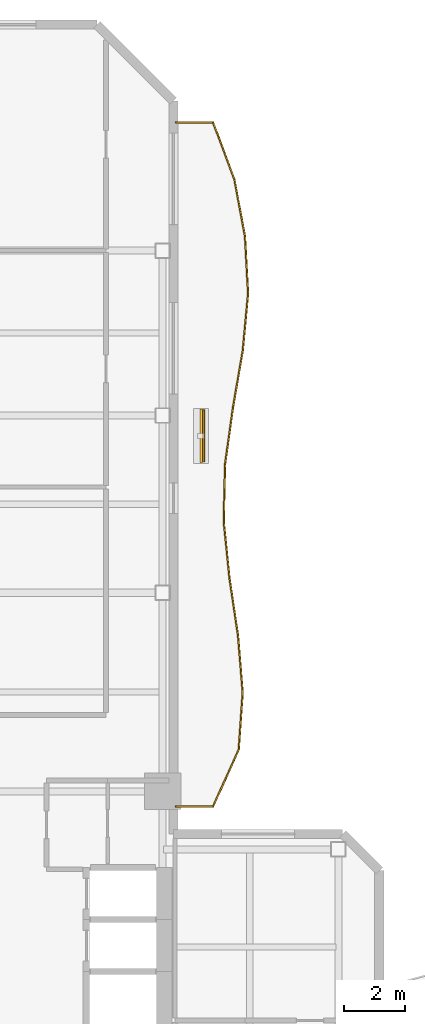
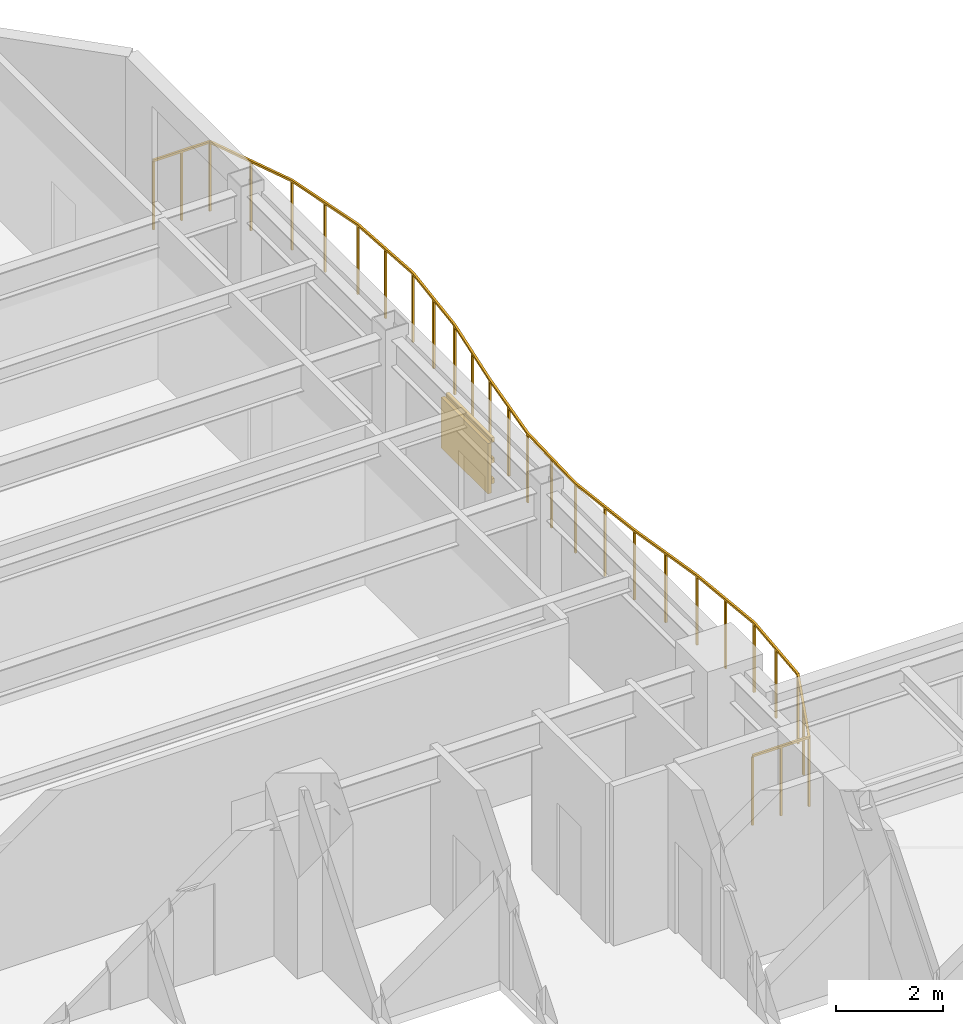
# One storey, part 9 of 9: 4 shading devices, 1 railing.
"""IFC4 building model written with IfcOpenShell, lengths in metres."""

from ifc_helpers import new_model, si_unit, direction, frame, origin, origin_2d, place, context, subcontext, project, spatial, rectangle, extrude, material, layer, layer_set, material_profile, profile_set, type_object, element, save


model = new_model("IFC4")

# Units and contexts
model_context = context("Model", 3, precision=1e-05, world=origin(), true_north=direction((0.0, 1.0)))
body_context = subcontext(model_context, "Body", "Model", "MODEL_VIEW")
ifc_project = project(units=[si_unit("LENGTHUNIT", "METRE"), si_unit("AREAUNIT", "SQUARE_METRE"), si_unit("VOLUMEUNIT", "CUBIC_METRE"), si_unit("PLANEANGLEUNIT", "RADIAN"), si_unit("MASSUNIT", "GRAM", prefix="KILO")], contexts=[model_context])

# Site, building, storey
site_placement = place(None, origin())
site = spatial("IfcSite", under=ifc_project, at=site_placement, CompositionType="ELEMENT")
building_placement = place(site_placement, origin())
building = spatial("IfcBuilding", under=site, at=building_placement, Name="Mawjaban Terraces University", CompositionType="ELEMENT")
storey_placement = place(building_placement, frame((0.0, 0.0, 161.89990234375)))
storey = spatial("IfcBuildingStorey", under=building, at=storey_placement, Name="L39", CompositionType="ELEMENT", Elevation=161.89990234375)

# Railing
ifc_material_1 = material(Name="Galvanised powder-coated steel S355", Category="steel")
railing_type = type_object("IfcRailingType", Name="BalconyBalustrade_1600", PredefinedType="BALUSTRADE", material=ifc_material_1)
railing_placement = place(storey_placement, frame((38.080078125, 23.0, 0.0)))
element("IfcRailing", 1, at=railing_placement, inside=storey, type_object=railing_type, Name="L39 Balcony Guardrail inner_east", PredefinedType="BALUSTRADE", context=body_context, shape_type="SweptSolid", body=[
    extrude(rectangle(XDim=0.048095703125, YDim=0.048095703125, at=origin_2d()), frame((0.0, 0.0, 1.576171875), z_axis=(1.0, 0.0, 0.0), x_axis=(0.0, 1.0, 0.0)), (0.0, 0.0, 1.0), 1.219970703125),
    extrude(rectangle(XDim=0.048095703125, YDim=0.048095703125, at=origin_2d()), frame((1.219970703125, 0.0, 1.576171875), z_axis=(0.410746374772, 0.911749645249, 0.0), x_axis=(-0.911749645249, 0.410746374772, 0.0)), (0.0, 0.0, 1.0), 2.047607421875),
    extrude(rectangle(XDim=0.048095703125, YDim=0.048095703125, at=origin_2d()), frame((2.06103515625, 1.866943359375, 1.576171875), z_axis=(0.069438164208, 0.9975862576, 0.0), x_axis=(-0.9975862576, 0.069438164208, 0.0)), (0.0, 0.0, 1.0), 1.870361328125),
    extrude(rectangle(XDim=0.048095703125, YDim=0.048095703125, at=origin_2d()), frame((2.19091796875, 3.73291015625, 1.576171875), z_axis=(-0.081708093923, 0.996656303541, 0.0), x_axis=(-0.996656303541, -0.081708093923, 0.0)), (0.0, 0.0, 1.0), 1.87353515625),
    extrude(rectangle(XDim=0.048095703125, YDim=0.048095703125, at=origin_2d()), frame((2.037841796875, 5.60009765625, 1.576171875), z_axis=(-0.147195532424, 0.989107413396, 0.0), x_axis=(-0.989107413396, -0.147195532424, 0.0)), (0.0, 0.0, 1.0), 1.887451171875),
    extrude(rectangle(XDim=0.048095703125, YDim=0.048095703125, at=origin_2d()), frame((1.760009765625, 7.467041015625, 1.576171875), z_axis=(-0.101398009551, 0.994845939661, 0.0), x_axis=(-0.994845939661, -0.101398009551, 0.0)), (0.0, 0.0, 1.0), 1.875732421875),
    extrude(rectangle(XDim=0.048095703125, YDim=0.048095703125, at=origin_2d()), frame((1.56982421875, 9.3330078125, 1.576171875), z_axis=(0.02314013403, 0.999732231248, 0.0), x_axis=(-0.999732231248, 0.02314013403, 0.0)), (0.0, 0.0, 1.0), 1.867431640625),
    extrude(rectangle(XDim=0.048095703125, YDim=0.048095703125, at=origin_2d()), frame((1.613037109375, 11.199951171875, 1.576171875), z_axis=(0.138447148066, 0.990369823446, 0.0), x_axis=(-0.990369823446, 0.138447148066, 0.0)), (0.0, 0.0, 1.0), 1.885009765625),
    extrude(rectangle(XDim=0.048095703125, YDim=0.048095703125, at=origin_2d()), frame((1.8740234375, 13.06689453125, 1.576171875), z_axis=(0.169414696375, 0.985544854713, 0.0), x_axis=(-0.985544854713, 0.169414696375, 0.0)), (0.0, 0.0, 1.0), 1.8935546875),
    extrude(rectangle(XDim=0.048095703125, YDim=0.048095703125, at=origin_2d()), frame((2.19482421875, 14.93310546875, 1.576171875), z_axis=(0.091803697214, 0.995777124249, 0.0), x_axis=(-0.995777124249, 0.091803697214, 0.0)), (0.0, 0.0, 1.0), 1.874755859375),
    extrude(rectangle(XDim=0.048095703125, YDim=0.048095703125, at=origin_2d()), frame((2.366943359375, 16.800048828125, 1.576171875), z_axis=(-0.054059710963, 0.998537704671, 0.0), x_axis=(-0.998537704671, -0.054059710963, 0.0)), (0.0, 0.0, 1.0), 1.86962890625),
    extrude(rectangle(XDim=0.048095703125, YDim=0.048095703125, at=origin_2d()), frame((2.265869140625, 18.6669921875, 1.576171875), z_axis=(-0.183286642224, 0.983059513347, 0.0), x_axis=(-0.983059513347, -0.183286642224, 0.0)), (0.0, 0.0, 1.0), 1.898193359375),
    extrude(rectangle(XDim=0.048095703125, YDim=0.048095703125, at=origin_2d()), frame((1.91796875, 20.532958984375, 1.576171875), z_axis=(-0.350197048966, 0.93667605227, 0.0), x_axis=(-0.93667605227, -0.350197048966, 0.0)), (0.0, 0.0, 1.0), 1.9931640625),
    extrude(rectangle(XDim=0.048095703125, YDim=0.048095703125, at=origin_2d()), frame((1.219970703125, 22.39990234375, 1.576171875), z_axis=(-1.0, 0.0, 0.0), x_axis=(0.0, -1.0, 0.0)), (0.0, 0.0, 1.0), 1.219970703125),
    extrude(rectangle(XDim=0.0419921875, YDim=0.0419921875, at=origin_2d()), origin(), (0.0, 0.0, 1.0), 1.552001953125),
    extrude(rectangle(XDim=0.0419921875, YDim=0.0419921875, at=origin_2d()), frame((0.60986328125, 0.0, 0.0)), (0.0, 0.0, 1.0), 1.552001953125),
    extrude(rectangle(XDim=0.0419921875, YDim=0.0419921875, at=origin_2d()), frame((1.219970703125, 0.0, 0.0)), (0.0, 0.0, 1.0), 1.552001953125),
    extrude(rectangle(XDim=0.0419921875, YDim=0.0419921875, at=origin_2d()), frame((1.640625, 0.93359375, 0.0)), (0.0, 0.0, 1.0), 1.552001953125),
    extrude(rectangle(XDim=0.0419921875, YDim=0.0419921875, at=origin_2d()), frame((2.06103515625, 1.866943359375, 0.0)), (0.0, 0.0, 1.0), 1.552001953125),
    extrude(rectangle(XDim=0.0419921875, YDim=0.0419921875, at=origin_2d()), frame((2.1259765625, 2.7998046875, 0.0)), (0.0, 0.0, 1.0), 1.552001953125),
    extrude(rectangle(XDim=0.0419921875, YDim=0.0419921875, at=origin_2d()), frame((2.19091796875, 3.73291015625, 0.0)), (0.0, 0.0, 1.0), 1.552001953125),
    extrude(rectangle(XDim=0.0419921875, YDim=0.0419921875, at=origin_2d()), frame((2.1142578125, 4.66650390625, 0.0)), (0.0, 0.0, 1.0), 1.552001953125),
    extrude(rectangle(XDim=0.0419921875, YDim=0.0419921875, at=origin_2d()), frame((2.037841796875, 5.60009765625, 0.0)), (0.0, 0.0, 1.0), 1.552001953125),
    extrude(rectangle(XDim=0.0419921875, YDim=0.0419921875, at=origin_2d()), frame((1.89892578125, 6.53369140625, 0.0)), (0.0, 0.0, 1.0), 1.552001953125),
    extrude(rectangle(XDim=0.0419921875, YDim=0.0419921875, at=origin_2d()), frame((1.760009765625, 7.467041015625, 0.0)), (0.0, 0.0, 1.0), 1.552001953125),
    extrude(rectangle(XDim=0.0419921875, YDim=0.0419921875, at=origin_2d()), frame((1.6650390625, 8.39990234375, 0.0)), (0.0, 0.0, 1.0), 1.552001953125),
    extrude(rectangle(XDim=0.0419921875, YDim=0.0419921875, at=origin_2d()), frame((1.56982421875, 9.3330078125, 0.0)), (0.0, 0.0, 1.0), 1.552001953125),
    extrude(rectangle(XDim=0.0419921875, YDim=0.0419921875, at=origin_2d()), frame((1.59130859375, 10.2666015625, 0.0)), (0.0, 0.0, 1.0), 1.552001953125),
    extrude(rectangle(XDim=0.0419921875, YDim=0.0419921875, at=origin_2d()), frame((1.613037109375, 11.199951171875, 0.0)), (0.0, 0.0, 1.0), 1.552001953125),
    extrude(rectangle(XDim=0.0419921875, YDim=0.0419921875, at=origin_2d()), frame((1.74365234375, 12.13330078125, 0.0)), (0.0, 0.0, 1.0), 1.552001953125),
    extrude(rectangle(XDim=0.0419921875, YDim=0.0419921875, at=origin_2d()), frame((1.8740234375, 13.06689453125, 0.0)), (0.0, 0.0, 1.0), 1.552001953125),
    extrude(rectangle(XDim=0.0419921875, YDim=0.0419921875, at=origin_2d()), frame((2.034423828125, 14.0, 0.0)), (0.0, 0.0, 1.0), 1.552001953125),
    extrude(rectangle(XDim=0.0419921875, YDim=0.0419921875, at=origin_2d()), frame((2.19482421875, 14.93310546875, 0.0)), (0.0, 0.0, 1.0), 1.552001953125),
    extrude(rectangle(XDim=0.0419921875, YDim=0.0419921875, at=origin_2d()), frame((2.28076171875, 15.86669921875, 0.0)), (0.0, 0.0, 1.0), 1.552001953125),
    extrude(rectangle(XDim=0.0419921875, YDim=0.0419921875, at=origin_2d()), frame((2.366943359375, 16.800048828125, 0.0)), (0.0, 0.0, 1.0), 1.552001953125),
    extrude(rectangle(XDim=0.0419921875, YDim=0.0419921875, at=origin_2d()), frame((2.31640625, 17.7333984375, 0.0)), (0.0, 0.0, 1.0), 1.552001953125),
    extrude(rectangle(XDim=0.0419921875, YDim=0.0419921875, at=origin_2d()), frame((2.265869140625, 18.6669921875, 0.0)), (0.0, 0.0, 1.0), 1.552001953125),
    extrude(rectangle(XDim=0.0419921875, YDim=0.0419921875, at=origin_2d()), frame((2.091796875, 19.60009765625, 0.0)), (0.0, 0.0, 1.0), 1.552001953125),
    extrude(rectangle(XDim=0.0419921875, YDim=0.0419921875, at=origin_2d()), frame((1.91796875, 20.532958984375, 0.0)), (0.0, 0.0, 1.0), 1.552001953125),
    extrude(rectangle(XDim=0.0419921875, YDim=0.0419921875, at=origin_2d()), frame((1.56884765625, 21.46630859375, 0.0)), (0.0, 0.0, 1.0), 1.552001953125),
    extrude(rectangle(XDim=0.0419921875, YDim=0.0419921875, at=origin_2d()), frame((1.219970703125, 22.39990234375, 0.0)), (0.0, 0.0, 1.0), 1.552001953125),
    extrude(rectangle(XDim=0.0419921875, YDim=0.0419921875, at=origin_2d()), frame((0.60986328125, 22.39990234375, 0.0)), (0.0, 0.0, 1.0), 1.552001953125),
    extrude(rectangle(XDim=0.0419921875, YDim=0.0419921875, at=origin_2d()), frame((0.0, 22.39990234375, 0.0)), (0.0, 0.0, 1.0), 1.552001953125),
])

# Shading devices
ifc_material_2 = material(Name="Glazed architectural terracotta ceramic", Category="masonry")
ifc_material_profile = material_profile(ifc_material_2, rectangle(XDim=0.06494140625, YDim=0.110107421875, at=origin_2d()), Name="TBAG110X65")
ifc_profile_set = profile_set([ifc_material_profile], Name="Glazed architectural terracotta ceramic")
shading_device_type_1 = type_object("IfcShadingDeviceType", Name="TerracottaBaguette_110x65", PredefinedType="USERDEFINED", material=ifc_profile_set)
for number, where, z_axis, x_axis, name in (
    (2, (38.991943359375, 34.282958984375, 0.68017578125), (0.0, 1.0, 0.0), (-1.0, 0.0, 0.0), "L39 Horizontal Terracotta Baguette inner_east.1"),
    (3, (38.991943359375, 34.282958984375, 1.150146484375), (0.0, 1.0, 0.0), (-1.0, 0.0, 0.0), "L39 Horizontal Terracotta Baguette inner_east.2"),
    (4, (38.991943359375, 34.282958984375, 1.6201171875), (0.0, 1.0, 0.0), (-1.0, 0.0, 0.0), "L39 Horizontal Terracotta Baguette inner_east.3"),
):
    element("IfcShadingDevice", number, at=place(storey_placement, frame(where, z_axis=z_axis, x_axis=x_axis)), inside=storey, type_object=shading_device_type_1, Name=name, ObjectType="BAGUETTE", PredefinedType="USERDEFINED", context=body_context, shape_type="SweptSolid", body=[
        extrude(rectangle(XDim=0.06494140625, YDim=0.110107421875, at=origin_2d()), origin(), (0.0, 0.0, 1.0), 1.699951171875),
    ])
ifc_layer = layer(ifc_material_2, 0.080078125)
ifc_layer_set = layer_set([ifc_layer], Name="Glazed architectural terracotta ceramic")
shading_device_type_2 = type_object("IfcShadingDeviceType", Name="TerracottaScreen_Perforated", PredefinedType="USERDEFINED", material=ifc_layer_set)
shading_device_placement = place(storey_placement, frame((38.906982421875, 35.133056640625, 0.440185546875), z_axis=(0.0, 0.0, 1.0), x_axis=(0.0, 1.0, 0.0)))
element("IfcShadingDevice", 5, at=shading_device_placement, inside=storey, type_object=shading_device_type_2, Name="L39 Balcony Perforated Terracotta Screen inner_east", ObjectType="SCREEN", PredefinedType="USERDEFINED", context=body_context, shape_type="SweptSolid", body=[
    extrude(rectangle(XDim=1.75, YDim=0.080078125, at=origin_2d()), origin(), (0.0, 0.0, 1.0), 1.14990234375),
])

save(model, "model.ifc")
